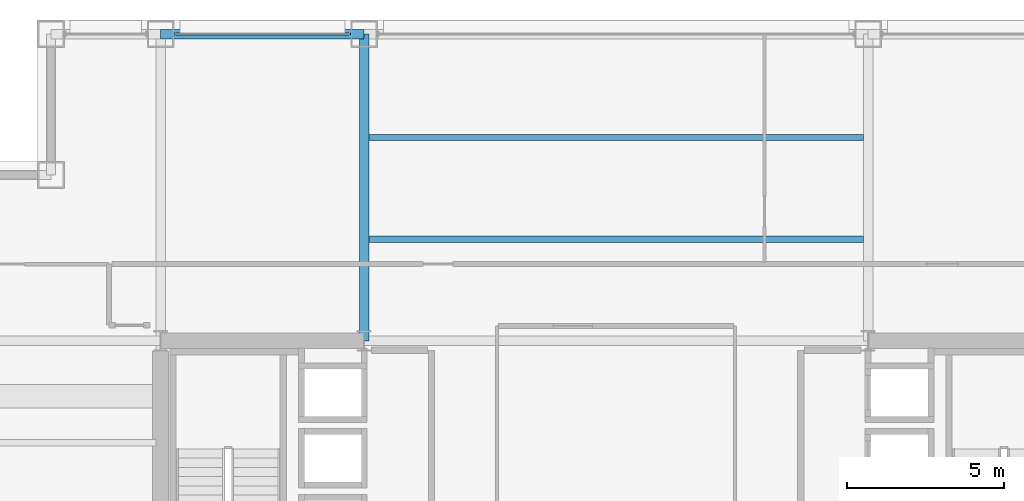
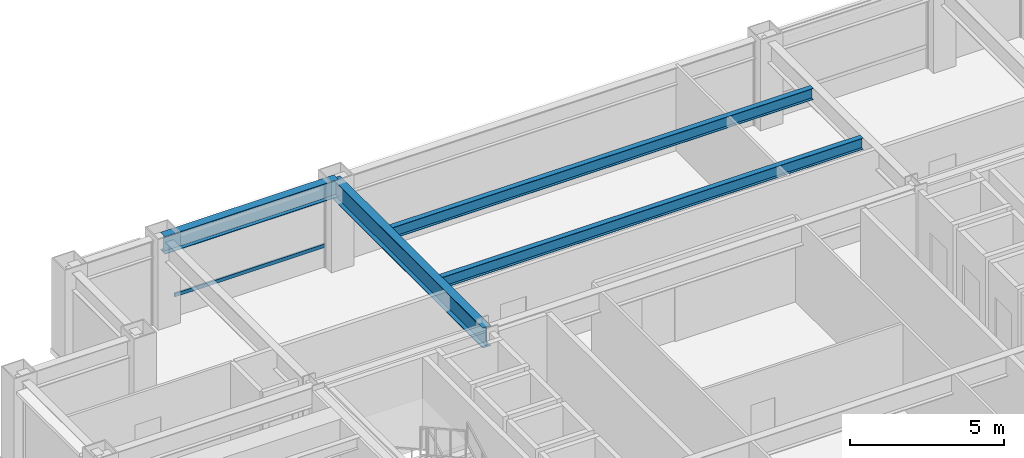
# One storey, part 19 of 28: 4 beams, 1 member, 1 element without a shape of its own.
"""IFC4 building model written with IfcOpenShell, lengths in metres."""

from ifc_helpers import new_model, si_unit, direction, frame, origin, origin_2d, place, context, subcontext, project, spatial, hollow_rectangle, i_section, extrude, material, layer, layer_set, material_profile, profile_set, type_object, element, aggregate, save


model = new_model("IFC4")

# Units and contexts
model_context = context("Model", 3, precision=1e-05, world=origin(), true_north=direction((0.0, 1.0)))
body_context = subcontext(model_context, "Body", "Model", "MODEL_VIEW")
ifc_project = project(units=[si_unit("LENGTHUNIT", "METRE"), si_unit("AREAUNIT", "SQUARE_METRE"), si_unit("VOLUMEUNIT", "CUBIC_METRE"), si_unit("PLANEANGLEUNIT", "RADIAN"), si_unit("MASSUNIT", "GRAM", prefix="KILO")], contexts=[model_context])

# Site, building, storey
site_placement = place(None, origin())
site = spatial("IfcSite", under=ifc_project, at=site_placement, CompositionType="ELEMENT")
building_placement = place(site_placement, origin())
building = spatial("IfcBuilding", under=site, at=building_placement, Name="Brelmoor Portico Tower", CompositionType="ELEMENT")
storey_placement = place(building_placement, frame((0.0, 0.0, 91.800048828125)))
storey = spatial("IfcBuildingStorey", under=building, at=storey_placement, Name="L23", CompositionType="ELEMENT", Elevation=91.800048828125)

# Beams
ifc_material_1 = material(Name="Steel Q355B", Category="steel")
ifc_material_profile_1 = material_profile(ifc_material_1, i_section(OverallWidth=0.199951171875, OverallDepth=0.449951171875, WebThickness=0.009033203125, FlangeThickness=0.013916015625, at=origin_2d()), Name="HN 450x200x9x14")
ifc_profile_set_1 = profile_set([ifc_material_profile_1], Name="Steel Q355B")
beam_type_1 = type_object("IfcBeamType", Name="BM-JS-450", PredefinedType="JOIST", material=ifc_profile_set_1)
for number, where, z_axis, x_axis, name in (
    (1, (-7.89990234375, 13.0, 3.175048828125), (1.0, 0.0, 0.0), (0.0, 1.0, 0.0), "L23 Secondary Composite Joist JS-C03"),
    (2, (-7.89990234375, 16.25, 3.175048828125), (1.0, 0.0, 0.0), (0.0, 1.0, 0.0), "L23 Secondary Composite Joist JS-C04"),
):
    element("IfcBeam", number, at=place(storey_placement, frame(where, z_axis=z_axis, x_axis=x_axis)), inside=storey, type_object=beam_type_1, Name=name, PredefinedType="JOIST", context=body_context, shape_type="SweptSolid", body=[
        extrude(i_section(OverallWidth=0.199951171875, OverallDepth=0.449951171875, WebThickness=0.009033203125, FlangeThickness=0.013916015625, at=origin_2d()), origin(), (0.0, 0.0, 1.0), 15.7998046875),
    ])
ifc_material_profile_2 = material_profile(ifc_material_1, i_section(OverallWidth=0.300048828125, OverallDepth=0.800048828125, WebThickness=0.013916015625, FlangeThickness=0.02587890625, at=origin_2d()), Name="HN 800x300x14x26")
ifc_profile_set_2 = profile_set([ifc_material_profile_2], Name="Steel Q355B")
beam_type_2 = type_object("IfcBeamType", Name="BM-PG-800", PredefinedType="BEAM", material=ifc_profile_set_2)
beam_1_placement = place(storey_placement, frame((-8.050048828125, 9.75, 3.0), z_axis=(0.0, 1.0, 0.0), x_axis=(-1.0, 0.0, 0.0)))
element("IfcBeam", 3, at=beam_1_placement, inside=storey, type_object=beam_type_2, Name="L23 Primary Floor Girder PG-06", PredefinedType="BEAM", context=body_context, shape_type="SweptSolid", body=[
    extrude(i_section(OverallWidth=0.300048828125, OverallDepth=0.800048828125, WebThickness=0.013916015625, FlangeThickness=0.02587890625, at=origin_2d()), origin(), (0.0, 0.0, 1.0), 9.800048828125),
])
ifc_material_profile_3 = material_profile(ifc_material_1, i_section(OverallWidth=0.300048828125, OverallDepth=0.699951171875, WebThickness=0.012939453125, FlangeThickness=0.02392578125, at=origin_2d()), Name="HN 700x300x13x24")
ifc_profile_set_3 = profile_set([ifc_material_profile_3], Name="Steel Q355B")
beam_type_3 = type_object("IfcBeamType", Name="BM-SP-700", PredefinedType="SPANDREL", material=ifc_profile_set_3)
beam_2_placement = place(storey_placement, frame((-14.550048828125, 19.550048828125, 3.050048828125), z_axis=(1.0, 0.0, 0.0), x_axis=(0.0, 1.0, 0.0)))
element("IfcBeam", 4, at=beam_2_placement, inside=storey, type_object=beam_type_3, Name="L23 Perimeter Spandrel Beam SP-11", PredefinedType="SPANDREL", context=body_context, shape_type="SweptSolid", body=[
    extrude(i_section(OverallWidth=0.300048828125, OverallDepth=0.699951171875, WebThickness=0.012939453125, FlangeThickness=0.02392578125, at=origin_2d()), origin(), (0.0, 0.0, 1.0), 6.5),
])

# Curtain wall, member
ifc_material_2 = material(Name="Anodised Aluminium Alloy 6063-T6", Category="aluminium")
ifc_layer = layer(ifc_material_2, 0.179931640625)
ifc_layer_set = layer_set([ifc_layer], Name="Anodised Aluminium Alloy 6063-T6")
curtain_wall_type = type_object("IfcCurtainWallType", Name="CW-TOWER-Z2", PredefinedType="NOTDEFINED", material=ifc_layer_set)
curtain_wall_placement = place(storey_placement, origin())
curtain_wall = element("IfcCurtainWall", 5, at=curtain_wall_placement, inside=storey, type_object=curtain_wall_type, Name="L23 Curtain Wall CW-L23-02-2", PredefinedType="NOTDEFINED")
ifc_material_profile_4 = material_profile(ifc_material_2, hollow_rectangle(XDim=0.06494140625, YDim=0.139892578125, WallThickness=0.00390625, at=origin_2d()), Name="ALU TRANSOM 65x140")
ifc_profile_set_4 = profile_set([ifc_material_profile_4], Name="Anodised Aluminium Alloy 6063-T6")
member_type = type_object("IfcMemberType", Name="MB-CW-TRAN-140", PredefinedType="USERDEFINED", material=ifc_profile_set_4)
member_placement = place(storey_placement, frame((-14.114990234375, 19.550048828125, 0.849853515625), z_axis=(1.0, 0.0, 0.0), x_axis=(0.0, 1.0, 0.0)))
member = element("IfcMember", 6, at=member_placement, type_object=member_type, Name="CW-L23-02-2 Transom 1-00", ObjectType="TRANSOM", PredefinedType="USERDEFINED", context=body_context, shape_type="SweptSolid", body=[
    extrude(hollow_rectangle(XDim=0.06494140625, YDim=0.139892578125, WallThickness=0.00390625, at=origin_2d()), origin(), (0.0, 0.0, 1.0), 5.6298828125),
])
aggregate(curtain_wall, [member])

save(model, "model.ifc")
